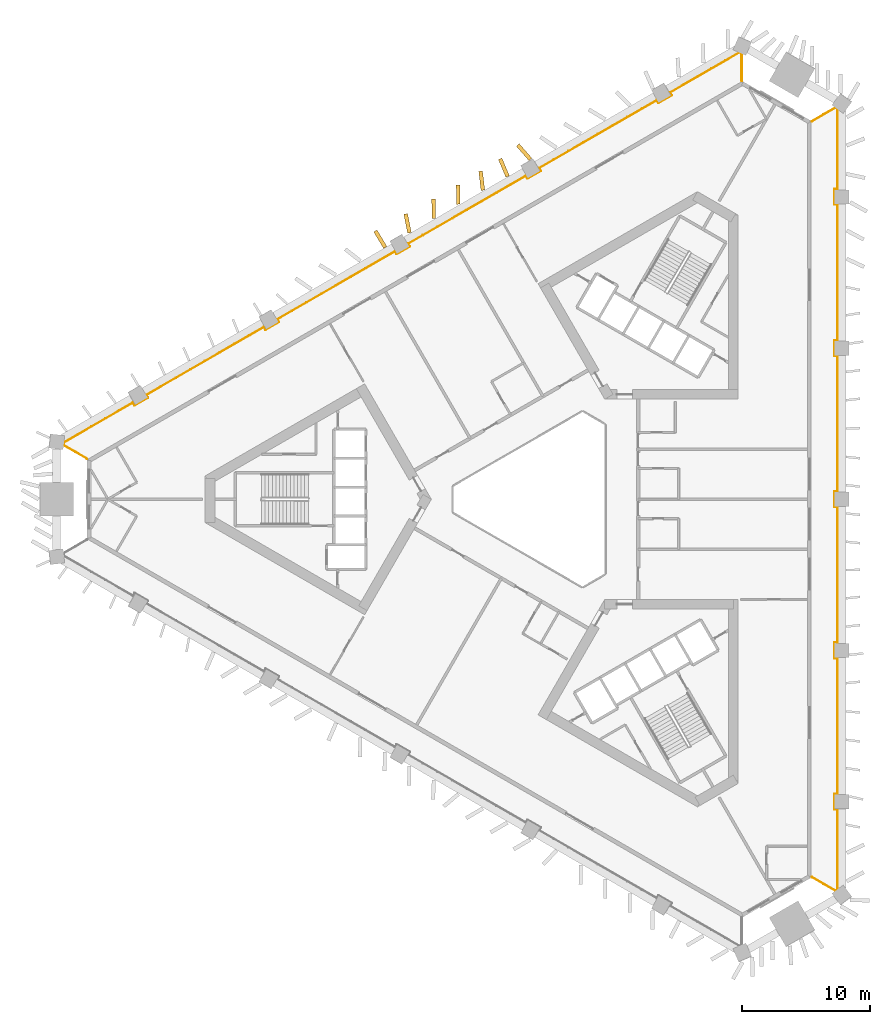
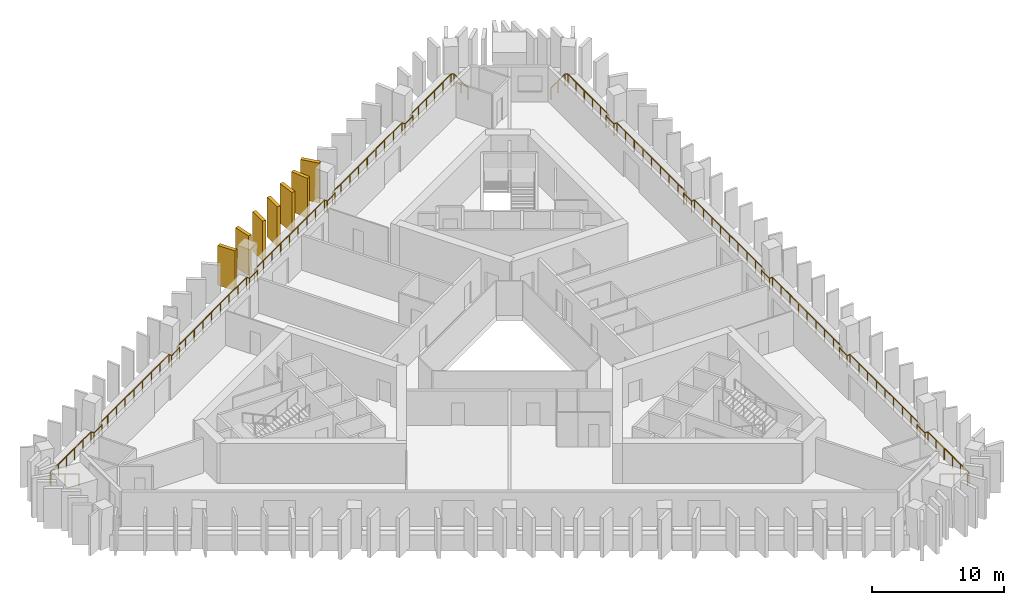
# One storey, part 10 of 11: 7 shading devices, 2 railings.
"""IFC4 building model written with IfcOpenShell, lengths in metres."""

from ifc_helpers import new_model, si_unit, direction, frame, frame_2d, origin, origin_2d, place, context, subcontext, project, spatial, rectangle, circle, extrude, material, layer, layer_set, type_object, element, save


model = new_model("IFC4")

# Units and contexts
model_context = context("Model", 3, precision=1e-05, world=origin(), true_north=direction((0.0, 1.0)))
body_context = subcontext(model_context, "Body", "Model", "MODEL_VIEW")
ifc_project = project(units=[si_unit("LENGTHUNIT", "METRE"), si_unit("AREAUNIT", "SQUARE_METRE"), si_unit("VOLUMEUNIT", "CUBIC_METRE"), si_unit("PLANEANGLEUNIT", "RADIAN"), si_unit("MASSUNIT", "GRAM", prefix="KILO")], contexts=[model_context])

# Site, building, storey
site_placement = place(None, origin())
site = spatial("IfcSite", under=ifc_project, at=site_placement, CompositionType="ELEMENT")
building_placement = place(site_placement, origin())
building = spatial("IfcBuilding", under=site, at=building_placement, Name="Jabali Bay Hotel Tower and Convention Centre", CompositionType="ELEMENT")
storey_placement = place(building_placement, frame((0.0, 0.0, 83.199951171875)))
storey = spatial("IfcBuildingStorey", under=building, at=storey_placement, Name="L19", CompositionType="ELEMENT", Elevation=83.199951171875)

# Railings
ifc_material_1 = material(Name="Glass", Category="glass")
railing_type = type_object("IfcRailingType", Name="Loggia glass guard 1100", PredefinedType="BALUSTRADE", material=ifc_material_1)
railing_1_placement = place(storey_placement, frame((95.6259765625, 109.42626953125, 0.0)))
element("IfcRailing", 1, at=railing_1_placement, inside=storey, type_object=railing_type, Name="Loggia glass guard L19", PredefinedType="BALUSTRADE", context=body_context, shape_type="SweptSolid", body=[
    extrude(circle(Radius=0.02490234375, at=origin_2d()), frame((0.0, 0.0, 1.0751953125), z_axis=(0.86605653045, 0.499946083158, 0.0), x_axis=(-0.495668975111, 0.858647296774, 0.13052619222)), (0.0, 0.0, 1.0), 2.110595703125),
    extrude(circle(Radius=0.02490234375, at=origin_2d()), frame((1.827880859375, 1.05517578125, 1.0751953125), z_axis=(0.80204311034, -0.597266145998, 0.0), x_axis=(0.592156451322, 0.795181520347, 0.13052619222)), (0.0, 0.0, 1.0), 0.214599609375),
    extrude(circle(Radius=0.02490234375, at=origin_2d()), frame((2.0, 0.927001953125, 1.0751953125), z_axis=(0.0, -1.0, 0.0), x_axis=(0.991444861374, 0.0, 0.13052619222)), (0.0, 0.0, 1.0), 6.207763671875),
    extrude(circle(Radius=0.02490234375, at=origin_2d()), frame((2.0, -5.28076171875, 1.0751953125), z_axis=(-1.0, 0.0, 0.0), x_axis=(0.0, -0.991444861374, 0.13052619222)), (0.0, 0.0, 1.0), 0.25),
    extrude(circle(Radius=0.02490234375, at=origin_2d()), frame((1.75, -5.28076171875, 1.0751953125), z_axis=(0.0, -1.0, 0.0), x_axis=(0.991444861374, 0.0, 0.13052619222)), (0.0, 0.0, 1.0), 1.2001953125),
    extrude(circle(Radius=0.02490234375, at=origin_2d()), frame((1.75, -6.48095703125, 1.0751953125), z_axis=(1.0, 0.0, 0.0), x_axis=(0.0, 0.991444861374, 0.13052619222)), (0.0, 0.0, 1.0), 0.25),
    extrude(circle(Radius=0.02490234375, at=origin_2d()), frame((2.0, -6.48095703125, 1.0751953125), z_axis=(0.0, -1.0, 0.0), x_axis=(0.991444861374, 0.0, 0.13052619222)), (0.0, 0.0, 1.0), 10.572509765625),
    extrude(circle(Radius=0.02490234375, at=origin_2d()), frame((2.0, -17.053466796875, 1.0751953125), z_axis=(-1.0, 0.0, 0.0), x_axis=(0.0, -0.991444861374, 0.13052619222)), (0.0, 0.0, 1.0), 0.25),
    extrude(circle(Radius=0.02490234375, at=origin_2d()), frame((1.75, -17.053466796875, 1.0751953125), z_axis=(0.0, -1.0, 0.0), x_axis=(0.991444861374, 0.0, 0.13052619222)), (0.0, 0.0, 1.0), 1.2001953125),
    extrude(circle(Radius=0.02490234375, at=origin_2d()), frame((1.75, -18.253662109375, 1.0751953125), z_axis=(1.0, 0.0, 0.0), x_axis=(0.0, 0.991444861374, 0.13052619222)), (0.0, 0.0, 1.0), 0.25),
    extrude(circle(Radius=0.02490234375, at=origin_2d()), frame((2.0, -18.253662109375, 1.0751953125), z_axis=(0.0, -1.0, 0.0), x_axis=(0.991444861374, 0.0, 0.13052619222)), (0.0, 0.0, 1.0), 10.572509765625),
    extrude(circle(Radius=0.02490234375, at=origin_2d()), frame((2.0, -28.826171875, 1.0751953125), z_axis=(-1.0, 0.0, 0.0), x_axis=(0.0, -0.991444861374, 0.13052619222)), (0.0, 0.0, 1.0), 0.25),
    extrude(circle(Radius=0.02490234375, at=origin_2d()), frame((1.75, -28.826171875, 1.0751953125), z_axis=(0.0, -1.0, 0.0), x_axis=(0.991444861374, 0.0, 0.13052619222)), (0.0, 0.0, 1.0), 1.2001953125),
    extrude(circle(Radius=0.02490234375, at=origin_2d()), frame((1.75, -30.0263671875, 1.0751953125), z_axis=(1.0, 0.0, 0.0), x_axis=(0.0, 0.991444861374, 0.13052619222)), (0.0, 0.0, 1.0), 0.25),
    extrude(circle(Radius=0.02490234375, at=origin_2d()), frame((2.0, -30.0263671875, 1.0751953125), z_axis=(0.0, -1.0, 0.0), x_axis=(0.991444861374, 0.0, 0.13052619222)), (0.0, 0.0, 1.0), 10.572509765625),
    extrude(circle(Radius=0.02490234375, at=origin_2d()), frame((2.0, -40.598876953125, 1.0751953125), z_axis=(-1.0, 0.0, 0.0), x_axis=(0.0, -0.991444861374, 0.13052619222)), (0.0, 0.0, 1.0), 0.25),
    extrude(circle(Radius=0.02490234375, at=origin_2d()), frame((1.75, -40.598876953125, 1.0751953125), z_axis=(0.0, -1.0, 0.0), x_axis=(0.991444861374, 0.0, 0.13052619222)), (0.0, 0.0, 1.0), 1.2001953125),
    extrude(circle(Radius=0.02490234375, at=origin_2d()), frame((1.75, -41.799072265625, 1.0751953125), z_axis=(1.0, 0.0, 0.0), x_axis=(0.0, 0.991444861374, 0.13052619222)), (0.0, 0.0, 1.0), 0.25),
    extrude(circle(Radius=0.02490234375, at=origin_2d()), frame((2.0, -41.799072265625, 1.0751953125), z_axis=(0.0, -1.0, 0.0), x_axis=(0.991444861374, 0.0, 0.13052619222)), (0.0, 0.0, 1.0), 10.572509765625),
    extrude(circle(Radius=0.02490234375, at=origin_2d()), frame((2.0, -52.37158203125, 1.0751953125), z_axis=(-1.0, 0.0, 0.0), x_axis=(0.0, -0.991444861374, 0.13052619222)), (0.0, 0.0, 1.0), 0.25),
    extrude(circle(Radius=0.02490234375, at=origin_2d()), frame((1.75, -52.37158203125, 1.0751953125), z_axis=(0.0, -1.0, 0.0), x_axis=(0.991444861374, 0.0, 0.13052619222)), (0.0, 0.0, 1.0), 1.2001953125),
    extrude(circle(Radius=0.02490234375, at=origin_2d()), frame((1.75, -53.57177734375, 1.0751953125), z_axis=(1.0, 0.0, 0.0), x_axis=(0.0, 0.991444861374, 0.13052619222)), (0.0, 0.0, 1.0), 0.25),
    extrude(circle(Radius=0.02490234375, at=origin_2d()), frame((2.0, -53.57177734375, 1.0751953125), z_axis=(0.0, -1.0, 0.0), x_axis=(0.991444861374, 0.0, 0.13052619222)), (0.0, 0.0, 1.0), 6.207763671875),
    extrude(circle(Radius=0.02490234375, at=origin_2d()), frame((2.0, -59.779541015625, 1.0751953125), z_axis=(-0.80204311034, -0.597266145998, 0.0), x_axis=(0.592156451322, -0.795181520347, 0.13052619222)), (0.0, 0.0, 1.0), 0.214599609375),
    extrude(circle(Radius=0.02490234375, at=origin_2d()), frame((1.827880859375, -59.90771484375, 1.0751953125), z_axis=(-0.86605653045, 0.499946083158, 0.0), x_axis=(-0.495668975111, -0.858647296774, 0.13052619222)), (0.0, 0.0, 1.0), 2.110595703125),
    extrude(circle(Radius=0.02001953125, at=origin_2d()), origin(), (0.0, 0.0, 1.0), 1.050048828125),
    extrude(circle(Radius=0.02001953125, at=origin_2d()), frame((0.9140625, 0.527587890625, 0.0)), (0.0, 0.0, 1.0), 1.050048828125),
    extrude(circle(Radius=0.02001953125, at=origin_2d()), frame((1.827880859375, 1.05517578125, 0.0)), (0.0, 0.0, 1.0), 1.050048828125),
    extrude(circle(Radius=0.02001953125, at=origin_2d()), frame((2.0, 0.927001953125, 0.0)), (0.0, 0.0, 1.0), 1.050048828125),
    extrude(circle(Radius=0.02001953125, at=origin_2d()), frame((2.0, -0.314453125, 0.0)), (0.0, 0.0, 1.0), 1.050048828125),
    extrude(circle(Radius=0.02001953125, at=origin_2d()), frame((2.0, -1.55615234375, 0.0)), (0.0, 0.0, 1.0), 1.050048828125),
    extrude(circle(Radius=0.02001953125, at=origin_2d()), frame((2.0, -2.797607421875, 0.0)), (0.0, 0.0, 1.0), 1.050048828125),
    extrude(circle(Radius=0.02001953125, at=origin_2d()), frame((2.0, -4.039306640625, 0.0)), (0.0, 0.0, 1.0), 1.050048828125),
    extrude(circle(Radius=0.02001953125, at=origin_2d()), frame((2.0, -5.28076171875, 0.0)), (0.0, 0.0, 1.0), 1.050048828125),
    extrude(circle(Radius=0.02001953125, at=origin_2d()), frame((1.75, -5.28076171875, 0.0)), (0.0, 0.0, 1.0), 1.050048828125),
    extrude(circle(Radius=0.02001953125, at=origin_2d()), frame((1.75, -6.48095703125, 0.0)), (0.0, 0.0, 1.0), 1.050048828125),
    extrude(circle(Radius=0.02001953125, at=origin_2d()), frame((2.0, -6.48095703125, 0.0)), (0.0, 0.0, 1.0), 1.050048828125),
    extrude(circle(Radius=0.02001953125, at=origin_2d()), frame((2.0, -7.802490234375, 0.0)), (0.0, 0.0, 1.0), 1.050048828125),
    extrude(circle(Radius=0.02001953125, at=origin_2d()), frame((2.0, -9.1240234375, 0.0)), (0.0, 0.0, 1.0), 1.050048828125),
    extrude(circle(Radius=0.02001953125, at=origin_2d()), frame((2.0, -10.445556640625, 0.0)), (0.0, 0.0, 1.0), 1.050048828125),
    extrude(circle(Radius=0.02001953125, at=origin_2d()), frame((2.0, -11.76708984375, 0.0)), (0.0, 0.0, 1.0), 1.050048828125),
    extrude(circle(Radius=0.02001953125, at=origin_2d()), frame((2.0, -13.0888671875, 0.0)), (0.0, 0.0, 1.0), 1.050048828125),
    extrude(circle(Radius=0.02001953125, at=origin_2d()), frame((2.0, -14.410400390625, 0.0)), (0.0, 0.0, 1.0), 1.050048828125),
    extrude(circle(Radius=0.02001953125, at=origin_2d()), frame((2.0, -15.73193359375, 0.0)), (0.0, 0.0, 1.0), 1.050048828125),
    extrude(circle(Radius=0.02001953125, at=origin_2d()), frame((2.0, -17.053466796875, 0.0)), (0.0, 0.0, 1.0), 1.050048828125),
    extrude(circle(Radius=0.02001953125, at=origin_2d()), frame((1.75, -17.053466796875, 0.0)), (0.0, 0.0, 1.0), 1.050048828125),
    extrude(circle(Radius=0.02001953125, at=origin_2d()), frame((1.75, -18.253662109375, 0.0)), (0.0, 0.0, 1.0), 1.050048828125),
    extrude(circle(Radius=0.02001953125, at=origin_2d()), frame((2.0, -18.253662109375, 0.0)), (0.0, 0.0, 1.0), 1.050048828125),
    extrude(circle(Radius=0.02001953125, at=origin_2d()), frame((2.0, -19.5751953125, 0.0)), (0.0, 0.0, 1.0), 1.050048828125),
    extrude(circle(Radius=0.02001953125, at=origin_2d()), frame((2.0, -20.896728515625, 0.0)), (0.0, 0.0, 1.0), 1.050048828125),
    extrude(circle(Radius=0.02001953125, at=origin_2d()), frame((2.0, -22.21826171875, 0.0)), (0.0, 0.0, 1.0), 1.050048828125),
    extrude(circle(Radius=0.02001953125, at=origin_2d()), frame((2.0, -23.5400390625, 0.0)), (0.0, 0.0, 1.0), 1.050048828125),
    extrude(circle(Radius=0.02001953125, at=origin_2d()), frame((2.0, -24.861572265625, 0.0)), (0.0, 0.0, 1.0), 1.050048828125),
    extrude(circle(Radius=0.02001953125, at=origin_2d()), frame((2.0, -26.18310546875, 0.0)), (0.0, 0.0, 1.0), 1.050048828125),
    extrude(circle(Radius=0.02001953125, at=origin_2d()), frame((2.0, -27.504638671875, 0.0)), (0.0, 0.0, 1.0), 1.050048828125),
    extrude(circle(Radius=0.02001953125, at=origin_2d()), frame((2.0, -28.826171875, 0.0)), (0.0, 0.0, 1.0), 1.050048828125),
    extrude(circle(Radius=0.02001953125, at=origin_2d()), frame((1.75, -28.826171875, 0.0)), (0.0, 0.0, 1.0), 1.050048828125),
    extrude(circle(Radius=0.02001953125, at=origin_2d()), frame((1.75, -30.0263671875, 0.0)), (0.0, 0.0, 1.0), 1.050048828125),
    extrude(circle(Radius=0.02001953125, at=origin_2d()), frame((2.0, -30.0263671875, 0.0)), (0.0, 0.0, 1.0), 1.050048828125),
    extrude(circle(Radius=0.02001953125, at=origin_2d()), frame((2.0, -31.347900390625, 0.0)), (0.0, 0.0, 1.0), 1.050048828125),
    extrude(circle(Radius=0.02001953125, at=origin_2d()), frame((2.0, -32.66943359375, 0.0)), (0.0, 0.0, 1.0), 1.050048828125),
    extrude(circle(Radius=0.02001953125, at=origin_2d()), frame((2.0, -33.990966796875, 0.0)), (0.0, 0.0, 1.0), 1.050048828125),
    extrude(circle(Radius=0.02001953125, at=origin_2d()), frame((2.0, -35.3125, 0.0)), (0.0, 0.0, 1.0), 1.050048828125),
    extrude(circle(Radius=0.02001953125, at=origin_2d()), frame((2.0, -36.63427734375, 0.0)), (0.0, 0.0, 1.0), 1.050048828125),
    extrude(circle(Radius=0.02001953125, at=origin_2d()), frame((2.0, -37.955810546875, 0.0)), (0.0, 0.0, 1.0), 1.050048828125),
    extrude(circle(Radius=0.02001953125, at=origin_2d()), frame((2.0, -39.27734375, 0.0)), (0.0, 0.0, 1.0), 1.050048828125),
    extrude(circle(Radius=0.02001953125, at=origin_2d()), frame((2.0, -40.598876953125, 0.0)), (0.0, 0.0, 1.0), 1.050048828125),
    extrude(circle(Radius=0.02001953125, at=origin_2d()), frame((1.75, -40.598876953125, 0.0)), (0.0, 0.0, 1.0), 1.050048828125),
    extrude(circle(Radius=0.02001953125, at=origin_2d()), frame((1.75, -41.799072265625, 0.0)), (0.0, 0.0, 1.0), 1.050048828125),
    extrude(circle(Radius=0.02001953125, at=origin_2d()), frame((2.0, -41.799072265625, 0.0)), (0.0, 0.0, 1.0), 1.050048828125),
    extrude(circle(Radius=0.02001953125, at=origin_2d()), frame((2.0, -43.12060546875, 0.0)), (0.0, 0.0, 1.0), 1.050048828125),
    extrude(circle(Radius=0.02001953125, at=origin_2d()), frame((2.0, -44.442138671875, 0.0)), (0.0, 0.0, 1.0), 1.050048828125),
    extrude(circle(Radius=0.02001953125, at=origin_2d()), frame((2.0, -45.763671875, 0.0)), (0.0, 0.0, 1.0), 1.050048828125),
    extrude(circle(Radius=0.02001953125, at=origin_2d()), frame((2.0, -47.08544921875, 0.0)), (0.0, 0.0, 1.0), 1.050048828125),
    extrude(circle(Radius=0.02001953125, at=origin_2d()), frame((2.0, -48.406982421875, 0.0)), (0.0, 0.0, 1.0), 1.050048828125),
    extrude(circle(Radius=0.02001953125, at=origin_2d()), frame((2.0, -49.728515625, 0.0)), (0.0, 0.0, 1.0), 1.050048828125),
    extrude(circle(Radius=0.02001953125, at=origin_2d()), frame((2.0, -51.050048828125, 0.0)), (0.0, 0.0, 1.0), 1.050048828125),
    extrude(circle(Radius=0.02001953125, at=origin_2d()), frame((2.0, -52.37158203125, 0.0)), (0.0, 0.0, 1.0), 1.050048828125),
    extrude(circle(Radius=0.02001953125, at=origin_2d()), frame((1.75, -52.37158203125, 0.0)), (0.0, 0.0, 1.0), 1.050048828125),
    extrude(circle(Radius=0.02001953125, at=origin_2d()), frame((1.75, -53.57177734375, 0.0)), (0.0, 0.0, 1.0), 1.050048828125),
    extrude(circle(Radius=0.02001953125, at=origin_2d()), frame((2.0, -53.57177734375, 0.0)), (0.0, 0.0, 1.0), 1.050048828125),
    extrude(circle(Radius=0.02001953125, at=origin_2d()), frame((2.0, -54.813232421875, 0.0)), (0.0, 0.0, 1.0), 1.050048828125),
    extrude(circle(Radius=0.02001953125, at=origin_2d()), frame((2.0, -56.054931640625, 0.0)), (0.0, 0.0, 1.0), 1.050048828125),
    extrude(circle(Radius=0.02001953125, at=origin_2d()), frame((2.0, -57.29638671875, 0.0)), (0.0, 0.0, 1.0), 1.050048828125),
    extrude(circle(Radius=0.02001953125, at=origin_2d()), frame((2.0, -58.5380859375, 0.0)), (0.0, 0.0, 1.0), 1.050048828125),
    extrude(circle(Radius=0.02001953125, at=origin_2d()), frame((2.0, -59.779541015625, 0.0)), (0.0, 0.0, 1.0), 1.050048828125),
    extrude(circle(Radius=0.02001953125, at=origin_2d()), frame((1.827880859375, -59.90771484375, 0.0)), (0.0, 0.0, 1.0), 1.050048828125),
    extrude(circle(Radius=0.02001953125, at=origin_2d()), frame((0.9140625, -59.380126953125, 0.0)), (0.0, 0.0, 1.0), 1.050048828125),
    extrude(circle(Radius=0.02001953125, at=origin_2d()), frame((0.0, -58.8525390625, 0.0)), (0.0, 0.0, 1.0), 1.050048828125),
])
railing_2_placement = place(storey_placement, frame((39.203125, 83.1494140625, 0.0)))
element("IfcRailing", 2, at=railing_2_placement, inside=storey, type_object=railing_type, Name="Loggia glass guard L19", PredefinedType="BALUSTRADE", context=body_context, shape_type="SweptSolid", body=[
    extrude(circle(Radius=0.02490234375, at=origin_2d()), frame((0.0, 0.0, 1.0751953125), z_axis=(-0.865977518836, 0.500082929993, 0.0), x_axis=(-0.495804651202, -0.858568961115, 0.13052619222)), (0.0, 0.0, 1.0), 2.110595703125),
    extrude(circle(Radius=0.02490234375, at=origin_2d()), frame((-1.82763671875, 1.055419921875, 1.0751953125), z_axis=(0.116049066602, 0.993243481801, 0.0), x_axis=(-0.984746146125, 0.11505625075, 0.13052619222)), (0.0, 0.0, 1.0), 0.214599609375),
    extrude(circle(Radius=0.02490234375, at=origin_2d()), frame((-1.802734375, 1.2685546875, 1.0751953125), z_axis=(0.866022513547, 0.500005006005, 0.0), x_axis=(-0.495727393865, 0.85861357089, 0.13052619222)), (0.0, 0.0, 1.0), 6.2080078125),
    extrude(circle(Radius=0.02490234375, at=origin_2d()), frame((3.573486328125, 4.37255859375, 1.0751953125), z_axis=(0.499919672301, -0.866071776036, 0.0), x_axis=(0.858662411932, 0.495642790202, 0.13052619222)), (0.0, 0.0, 1.0), 0.25),
    extrude(circle(Radius=0.02490234375, at=origin_2d()), frame((3.698486328125, 4.156005859375, 1.0751953125), z_axis=(0.865955154139, 0.50012165622, 0.0), x_axis=(-0.495843046121, 0.858546787751, 0.13052619222)), (0.0, 0.0, 1.0), 1.199951171875),
    extrude(circle(Radius=0.02490234375, at=origin_2d()), frame((4.737548828125, 4.756103515625, 1.0751953125), z_axis=(-0.500342721131, 0.865827443207, 0.0), x_axis=(-0.858420169404, -0.496062219791, 0.13052619222)), (0.0, 0.0, 1.0), 0.249755859375),
    extrude(circle(Radius=0.02490234375, at=origin_2d()), frame((4.612548828125, 4.972412109375, 1.0751953125), z_axis=(0.8660248488, 0.500000961259, 0.0), x_axis=(-0.495723383723, 0.858615886165, 0.13052619222)), (0.0, 0.0, 1.0), 10.57275390625),
    extrude(circle(Radius=0.02490234375, at=origin_2d()), frame((13.768798828125, 10.2587890625, 1.0751953125), z_axis=(0.500342721131, -0.865827443207, 0.0), x_axis=(0.858420169404, 0.496062219791, 0.13052619222)), (0.0, 0.0, 1.0), 0.249755859375),
    extrude(circle(Radius=0.02490234375, at=origin_2d()), frame((13.893798828125, 10.04248046875, 1.0751953125), z_axis=(0.866094119867, 0.499880961361, 0.0), x_axis=(-0.49560441044, 0.858684564609, 0.13052619222)), (0.0, 0.0, 1.0), 1.199951171875),
    extrude(circle(Radius=0.02490234375, at=origin_2d()), frame((14.93310546875, 10.642333984375, 1.0751953125), z_axis=(-0.499919672301, 0.866071776036, 0.0), x_axis=(-0.858662411932, -0.495642790202, 0.13052619222)), (0.0, 0.0, 1.0), 0.25),
    extrude(circle(Radius=0.02490234375, at=origin_2d()), frame((14.80810546875, 10.85888671875, 1.0751953125), z_axis=(0.8660248488, 0.500000961259, 0.0), x_axis=(-0.495723383723, 0.858615886165, 0.13052619222)), (0.0, 0.0, 1.0), 10.57275390625),
    extrude(circle(Radius=0.02490234375, at=origin_2d()), frame((23.96435546875, 16.145263671875, 1.0751953125), z_axis=(0.499919672301, -0.866071776036, 0.0), x_axis=(0.858662411932, 0.495642790202, 0.13052619222)), (0.0, 0.0, 1.0), 0.25),
    extrude(circle(Radius=0.02490234375, at=origin_2d()), frame((24.08935546875, 15.9287109375, 1.0751953125), z_axis=(0.865955154139, 0.50012165622, 0.0), x_axis=(-0.495843046121, 0.858546787751, 0.13052619222)), (0.0, 0.0, 1.0), 1.199951171875),
    extrude(circle(Radius=0.02490234375, at=origin_2d()), frame((25.12841796875, 16.52880859375, 1.0751953125), z_axis=(-0.500342721131, 0.865827443207, 0.0), x_axis=(-0.858420169404, -0.496062219791, 0.13052619222)), (0.0, 0.0, 1.0), 0.249755859375),
    extrude(circle(Radius=0.02490234375, at=origin_2d()), frame((25.00341796875, 16.7451171875, 1.0751953125), z_axis=(0.8660248488, 0.500000961259, 0.0), x_axis=(-0.495723383723, 0.858615886165, 0.13052619222)), (0.0, 0.0, 1.0), 10.57275390625),
    extrude(circle(Radius=0.02490234375, at=origin_2d()), frame((34.15966796875, 22.031494140625, 1.0751953125), z_axis=(0.500342721131, -0.865827443207, 0.0), x_axis=(0.858420169404, 0.496062219791, 0.13052619222)), (0.0, 0.0, 1.0), 0.249755859375),
    extrude(circle(Radius=0.02490234375, at=origin_2d()), frame((34.28466796875, 21.815185546875, 1.0751953125), z_axis=(0.866094119867, 0.499880961361, 0.0), x_axis=(-0.49560441044, 0.858684564609, 0.13052619222)), (0.0, 0.0, 1.0), 1.199951171875),
    extrude(circle(Radius=0.02490234375, at=origin_2d()), frame((35.323974609375, 22.4150390625, 1.0751953125), z_axis=(-0.499919672301, 0.866071776036, 0.0), x_axis=(-0.858662411932, -0.495642790202, 0.13052619222)), (0.0, 0.0, 1.0), 0.25),
    extrude(circle(Radius=0.02490234375, at=origin_2d()), frame((35.198974609375, 22.631591796875, 1.0751953125), z_axis=(0.8660248488, 0.500000961259, 0.0), x_axis=(-0.495723383723, 0.858615886165, 0.13052619222)), (0.0, 0.0, 1.0), 10.57275390625),
    extrude(circle(Radius=0.02490234375, at=origin_2d()), frame((44.355224609375, 27.91796875, 1.0751953125), z_axis=(0.499919672301, -0.866071776036, 0.0), x_axis=(0.858662411932, 0.495642790202, 0.13052619222)), (0.0, 0.0, 1.0), 0.25),
    extrude(circle(Radius=0.02490234375, at=origin_2d()), frame((44.480224609375, 27.701416015625, 1.0751953125), z_axis=(0.866006032174, 0.500033551112, 0.0), x_axis=(-0.495755694765, 0.858597230518, 0.13052619222)), (0.0, 0.0, 1.0), 1.2001953125),
    extrude(circle(Radius=0.02490234375, at=origin_2d()), frame((45.51953125, 28.301513671875, 1.0751953125), z_axis=(-0.500342721131, 0.865827443207, 0.0), x_axis=(-0.858420169404, -0.496062219791, 0.13052619222)), (0.0, 0.0, 1.0), 0.249755859375),
    extrude(circle(Radius=0.02490234375, at=origin_2d()), frame((45.39453125, 28.517822265625, 1.0751953125), z_axis=(0.866012681068, 0.500022035744, 0.0), x_axis=(-0.495744277913, 0.858603822529, 0.13052619222)), (0.0, 0.0, 1.0), 6.207763671875),
    extrude(circle(Radius=0.02490234375, at=origin_2d()), frame((50.7705078125, 31.621826171875, 1.0751953125), z_axis=(0.918438029816, -0.395564894029, 0.0), x_axis=(0.392180781525, 0.910580665151, 0.13052619222)), (0.0, 0.0, 1.0), 0.21484375),
    extrude(circle(Radius=0.02490234375, at=origin_2d()), frame((50.9677734375, 31.536865234375, 1.0751953125), z_axis=(0.0, -1.0, 0.0), x_axis=(0.991444861374, 0.0, 0.13052619222)), (0.0, 0.0, 1.0), 2.110595703125),
    extrude(circle(Radius=0.02001953125, at=origin_2d()), origin(), (0.0, 0.0, 1.0), 1.050048828125),
    extrude(circle(Radius=0.02001953125, at=origin_2d()), frame((-0.913818359375, 0.52783203125, 0.0)), (0.0, 0.0, 1.0), 1.050048828125),
    extrude(circle(Radius=0.02001953125, at=origin_2d()), frame((-1.82763671875, 1.055419921875, 0.0)), (0.0, 0.0, 1.0), 1.050048828125),
    extrude(circle(Radius=0.02001953125, at=origin_2d()), frame((-1.802734375, 1.2685546875, 0.0)), (0.0, 0.0, 1.0), 1.050048828125),
    extrude(circle(Radius=0.02001953125, at=origin_2d()), frame((-0.7275390625, 1.889404296875, 0.0)), (0.0, 0.0, 1.0), 1.050048828125),
    extrude(circle(Radius=0.02001953125, at=origin_2d()), frame((0.34765625, 2.51025390625, 0.0)), (0.0, 0.0, 1.0), 1.050048828125),
    extrude(circle(Radius=0.02001953125, at=origin_2d()), frame((1.423095703125, 3.130859375, 0.0)), (0.0, 0.0, 1.0), 1.050048828125),
    extrude(circle(Radius=0.02001953125, at=origin_2d()), frame((2.498291015625, 3.751708984375, 0.0)), (0.0, 0.0, 1.0), 1.050048828125),
    extrude(circle(Radius=0.02001953125, at=origin_2d()), frame((3.573486328125, 4.37255859375, 0.0)), (0.0, 0.0, 1.0), 1.050048828125),
    extrude(circle(Radius=0.02001953125, at=origin_2d()), frame((3.698486328125, 4.156005859375, 0.0)), (0.0, 0.0, 1.0), 1.050048828125),
    extrude(circle(Radius=0.02001953125, at=origin_2d()), frame((4.737548828125, 4.756103515625, 0.0)), (0.0, 0.0, 1.0), 1.050048828125),
    extrude(circle(Radius=0.02001953125, at=origin_2d()), frame((4.612548828125, 4.972412109375, 0.0)), (0.0, 0.0, 1.0), 1.050048828125),
    extrude(circle(Radius=0.02001953125, at=origin_2d()), frame((5.757080078125, 5.63330078125, 0.0)), (0.0, 0.0, 1.0), 1.050048828125),
    extrude(circle(Radius=0.02001953125, at=origin_2d()), frame((6.901611328125, 6.2939453125, 0.0)), (0.0, 0.0, 1.0), 1.050048828125),
    extrude(circle(Radius=0.02001953125, at=origin_2d()), frame((8.046142578125, 6.954833984375, 0.0)), (0.0, 0.0, 1.0), 1.050048828125),
    extrude(circle(Radius=0.02001953125, at=origin_2d()), frame((9.190673828125, 7.61572265625, 0.0)), (0.0, 0.0, 1.0), 1.050048828125),
    extrude(circle(Radius=0.02001953125, at=origin_2d()), frame((10.335205078125, 8.2763671875, 0.0)), (0.0, 0.0, 1.0), 1.050048828125),
    extrude(circle(Radius=0.02001953125, at=origin_2d()), frame((11.479736328125, 8.937255859375, 0.0)), (0.0, 0.0, 1.0), 1.050048828125),
    extrude(circle(Radius=0.02001953125, at=origin_2d()), frame((12.624267578125, 9.597900390625, 0.0)), (0.0, 0.0, 1.0), 1.050048828125),
    extrude(circle(Radius=0.02001953125, at=origin_2d()), frame((13.768798828125, 10.2587890625, 0.0)), (0.0, 0.0, 1.0), 1.050048828125),
    extrude(circle(Radius=0.02001953125, at=origin_2d()), frame((13.893798828125, 10.04248046875, 0.0)), (0.0, 0.0, 1.0), 1.050048828125),
    extrude(circle(Radius=0.02001953125, at=origin_2d()), frame((14.93310546875, 10.642333984375, 0.0)), (0.0, 0.0, 1.0), 1.050048828125),
    extrude(circle(Radius=0.02001953125, at=origin_2d()), frame((14.80810546875, 10.85888671875, 0.0)), (0.0, 0.0, 1.0), 1.050048828125),
    extrude(circle(Radius=0.02001953125, at=origin_2d()), frame((15.95263671875, 11.519775390625, 0.0)), (0.0, 0.0, 1.0), 1.050048828125),
    extrude(circle(Radius=0.02001953125, at=origin_2d()), frame((17.09716796875, 12.180419921875, 0.0)), (0.0, 0.0, 1.0), 1.050048828125),
    extrude(circle(Radius=0.02001953125, at=origin_2d()), frame((18.24169921875, 12.84130859375, 0.0)), (0.0, 0.0, 1.0), 1.050048828125),
    extrude(circle(Radius=0.02001953125, at=origin_2d()), frame((19.38623046875, 13.501953125, 0.0)), (0.0, 0.0, 1.0), 1.050048828125),
    extrude(circle(Radius=0.02001953125, at=origin_2d()), frame((20.53076171875, 14.162841796875, 0.0)), (0.0, 0.0, 1.0), 1.050048828125),
    extrude(circle(Radius=0.02001953125, at=origin_2d()), frame((21.67529296875, 14.82373046875, 0.0)), (0.0, 0.0, 1.0), 1.050048828125),
    extrude(circle(Radius=0.02001953125, at=origin_2d()), frame((22.81982421875, 15.484375, 0.0)), (0.0, 0.0, 1.0), 1.050048828125),
    extrude(circle(Radius=0.02001953125, at=origin_2d()), frame((23.96435546875, 16.145263671875, 0.0)), (0.0, 0.0, 1.0), 1.050048828125),
    extrude(circle(Radius=0.02001953125, at=origin_2d()), frame((24.08935546875, 15.9287109375, 0.0)), (0.0, 0.0, 1.0), 1.050048828125),
    extrude(circle(Radius=0.02001953125, at=origin_2d()), frame((25.12841796875, 16.52880859375, 0.0)), (0.0, 0.0, 1.0), 1.050048828125),
    extrude(circle(Radius=0.02001953125, at=origin_2d()), frame((25.00341796875, 16.7451171875, 0.0)), (0.0, 0.0, 1.0), 1.050048828125),
    extrude(circle(Radius=0.02001953125, at=origin_2d()), frame((26.14794921875, 17.406005859375, 0.0)), (0.0, 0.0, 1.0), 1.050048828125),
    extrude(circle(Radius=0.02001953125, at=origin_2d()), frame((27.29248046875, 18.066650390625, 0.0)), (0.0, 0.0, 1.0), 1.050048828125),
    extrude(circle(Radius=0.02001953125, at=origin_2d()), frame((28.43701171875, 18.7275390625, 0.0)), (0.0, 0.0, 1.0), 1.050048828125),
    extrude(circle(Radius=0.02001953125, at=origin_2d()), frame((29.58154296875, 19.38818359375, 0.0)), (0.0, 0.0, 1.0), 1.050048828125),
    extrude(circle(Radius=0.02001953125, at=origin_2d()), frame((30.72607421875, 20.049072265625, 0.0)), (0.0, 0.0, 1.0), 1.050048828125),
    extrude(circle(Radius=0.02001953125, at=origin_2d()), frame((31.87060546875, 20.7099609375, 0.0)), (0.0, 0.0, 1.0), 1.050048828125),
    extrude(circle(Radius=0.02001953125, at=origin_2d()), frame((33.01513671875, 21.37060546875, 0.0)), (0.0, 0.0, 1.0), 1.050048828125),
    extrude(circle(Radius=0.02001953125, at=origin_2d()), frame((34.15966796875, 22.031494140625, 0.0)), (0.0, 0.0, 1.0), 1.050048828125),
    extrude(circle(Radius=0.02001953125, at=origin_2d()), frame((34.28466796875, 21.815185546875, 0.0)), (0.0, 0.0, 1.0), 1.050048828125),
    extrude(circle(Radius=0.02001953125, at=origin_2d()), frame((35.323974609375, 22.4150390625, 0.0)), (0.0, 0.0, 1.0), 1.050048828125),
    extrude(circle(Radius=0.02001953125, at=origin_2d()), frame((35.198974609375, 22.631591796875, 0.0)), (0.0, 0.0, 1.0), 1.050048828125),
    extrude(circle(Radius=0.02001953125, at=origin_2d()), frame((36.343505859375, 23.29248046875, 0.0)), (0.0, 0.0, 1.0), 1.050048828125),
    extrude(circle(Radius=0.02001953125, at=origin_2d()), frame((37.488037109375, 23.953125, 0.0)), (0.0, 0.0, 1.0), 1.050048828125),
    extrude(circle(Radius=0.02001953125, at=origin_2d()), frame((38.632568359375, 24.614013671875, 0.0)), (0.0, 0.0, 1.0), 1.050048828125),
    extrude(circle(Radius=0.02001953125, at=origin_2d()), frame((39.777099609375, 25.27490234375, 0.0)), (0.0, 0.0, 1.0), 1.050048828125),
    extrude(circle(Radius=0.02001953125, at=origin_2d()), frame((40.921630859375, 25.935546875, 0.0)), (0.0, 0.0, 1.0), 1.050048828125),
    extrude(circle(Radius=0.02001953125, at=origin_2d()), frame((42.066162109375, 26.596435546875, 0.0)), (0.0, 0.0, 1.0), 1.050048828125),
    extrude(circle(Radius=0.02001953125, at=origin_2d()), frame((43.210693359375, 27.257080078125, 0.0)), (0.0, 0.0, 1.0), 1.050048828125),
    extrude(circle(Radius=0.02001953125, at=origin_2d()), frame((44.355224609375, 27.91796875, 0.0)), (0.0, 0.0, 1.0), 1.050048828125),
    extrude(circle(Radius=0.02001953125, at=origin_2d()), frame((44.480224609375, 27.701416015625, 0.0)), (0.0, 0.0, 1.0), 1.050048828125),
    extrude(circle(Radius=0.02001953125, at=origin_2d()), frame((45.51953125, 28.301513671875, 0.0)), (0.0, 0.0, 1.0), 1.050048828125),
    extrude(circle(Radius=0.02001953125, at=origin_2d()), frame((45.39453125, 28.517822265625, 0.0)), (0.0, 0.0, 1.0), 1.050048828125),
    extrude(circle(Radius=0.02001953125, at=origin_2d()), frame((46.4697265625, 29.138671875, 0.0)), (0.0, 0.0, 1.0), 1.050048828125),
    extrude(circle(Radius=0.02001953125, at=origin_2d()), frame((47.544921875, 29.759521484375, 0.0)), (0.0, 0.0, 1.0), 1.050048828125),
    extrude(circle(Radius=0.02001953125, at=origin_2d()), frame((48.6201171875, 30.380126953125, 0.0)), (0.0, 0.0, 1.0), 1.050048828125),
    extrude(circle(Radius=0.02001953125, at=origin_2d()), frame((49.6953125, 31.0009765625, 0.0)), (0.0, 0.0, 1.0), 1.050048828125),
    extrude(circle(Radius=0.02001953125, at=origin_2d()), frame((50.7705078125, 31.621826171875, 0.0)), (0.0, 0.0, 1.0), 1.050048828125),
    extrude(circle(Radius=0.02001953125, at=origin_2d()), frame((50.9677734375, 31.536865234375, 0.0)), (0.0, 0.0, 1.0), 1.050048828125),
    extrude(circle(Radius=0.02001953125, at=origin_2d()), frame((50.9677734375, 30.4814453125, 0.0)), (0.0, 0.0, 1.0), 1.050048828125),
    extrude(circle(Radius=0.02001953125, at=origin_2d()), frame((50.9677734375, 29.42626953125, 0.0)), (0.0, 0.0, 1.0), 1.050048828125),
])

# Shading devices
ifc_material_2 = material(Name="Precast concrete C60", Category="concrete")
ifc_layer = layer(ifc_material_2, 0.300048828125)
ifc_layer_set = layer_set([ifc_layer], Name="Precast concrete C60")
shading_device_type = type_object("IfcShadingDeviceType", Name="Precast fin 3680 x 1500", PredefinedType="USERDEFINED", material=ifc_layer_set)
shading_device_1_placement = place(storey_placement, frame((73.71533203125, 106.457275390625, 0.010009765625), z_axis=(0.0, 0.0, 1.0), x_axis=(-0.658758099119, 0.752354814462, 0.0)))
element("IfcShadingDevice", 3, at=shading_device_1_placement, inside=storey, type_object=shading_device_type, Name="Fin L19 045", ObjectType="FIN", PredefinedType="USERDEFINED", context=body_context, shape_type="SweptSolid", body=[
    extrude(rectangle(XDim=1.499755859375, YDim=0.300048828125, at=frame_2d((0.75, 0.0))), origin(), (0.0, 0.0, 1.0), 3.679931640625),
])
for number, where, z_axis, x_axis, name in (
    (4, (71.941650390625, 105.12353515625, 0.010009765625), (0.0, 0.0, 1.0), (-0.390144356608, 0.920753702684, 0.0), "Fin L19 046"),
    (5, (70.013427734375, 104.05712890625, 0.010009765625), (0.0, 0.0, 1.0), (-0.118984759826, 0.992896080629, 0.0), "Fin L19 047"),
    (6, (68.09814453125, 102.96875, 0.010009765625), (0.0, 0.0, 1.0), (-0.007649515767, 0.999970742026, 0.0), "Fin L19 048"),
    (7, (66.1904296875, 101.8671875, 0.010009765625), (0.0, 0.0, 1.0), (-0.007812261592, 0.999969483819, 0.0), "Fin L19 049"),
):
    element("IfcShadingDevice", number, at=place(storey_placement, frame(where, z_axis=z_axis, x_axis=x_axis)), inside=storey, type_object=shading_device_type, Name=name, ObjectType="FIN", PredefinedType="USERDEFINED", context=body_context, shape_type="SweptSolid", body=[
        extrude(rectangle(XDim=1.5, YDim=0.300048828125, at=frame_2d((0.75, 0.0))), origin(), (0.0, 0.0, 1.0), 3.679931640625),
    ])
shading_device_2_placement = place(storey_placement, frame((64.29541015625, 100.74365234375, 0.010009765625), z_axis=(0.0, 0.0, 1.0), x_axis=(-0.193705184024, 0.981059784968, 0.0)))
element("IfcShadingDevice", 8, at=shading_device_2_placement, inside=storey, type_object=shading_device_type, Name="Fin L19 050", ObjectType="FIN", PredefinedType="USERDEFINED", context=body_context, shape_type="SweptSolid", body=[
    extrude(rectangle(XDim=1.499755859375, YDim=0.300048828125, at=frame_2d((0.75, 0.0))), origin(), (0.0, 0.0, 1.0), 3.679931640625),
])
shading_device_3_placement = place(storey_placement, frame((62.410888671875, 99.602294921875, 0.010009765625), z_axis=(0.0, 0.0, 1.0), x_axis=(-0.512699461786, 0.858568146325, 0.0)))
element("IfcShadingDevice", 9, at=shading_device_3_placement, inside=storey, type_object=shading_device_type, Name="Fin L19 051", ObjectType="FIN", PredefinedType="USERDEFINED", context=body_context, shape_type="SweptSolid", body=[
    extrude(rectangle(XDim=1.5, YDim=0.300048828125, at=frame_2d((0.75, 0.0))), origin(), (0.0, 0.0, 1.0), 3.679931640625),
])

save(model, "model.ifc")
